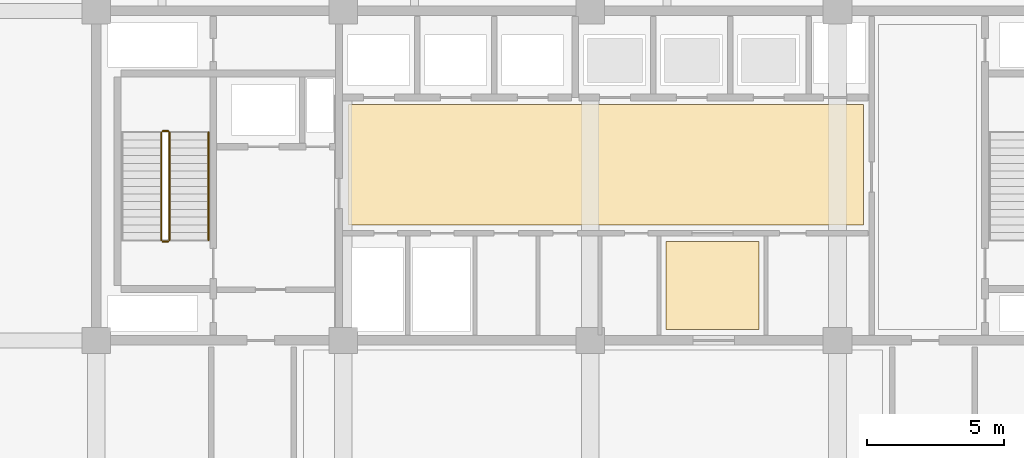
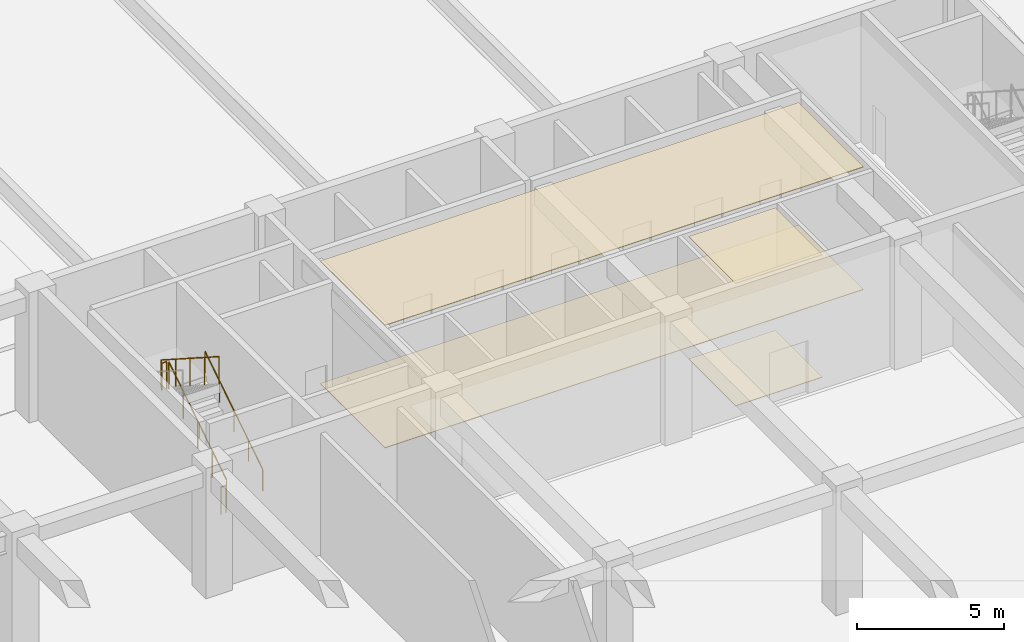
# One storey, part 35 of 46: 5 railings, 4 coverings.
"""IFC4 building model written with IfcOpenShell, lengths in metres."""

from ifc_helpers import new_model, si_unit, direction, frame, origin, origin_2d, place, context, subcontext, project, spatial, polyline, circle, outline, extrude, material, layer, layer_set, type_object, element, save


model = new_model("IFC4")

# Units and contexts
model_context = context("Model", 3, precision=1e-05, world=origin(), true_north=direction((0.0, 1.0)))
body_context = subcontext(model_context, "Body", "Model", "MODEL_VIEW")
ifc_project = project(units=[si_unit("LENGTHUNIT", "METRE"), si_unit("AREAUNIT", "SQUARE_METRE"), si_unit("VOLUMEUNIT", "CUBIC_METRE"), si_unit("PLANEANGLEUNIT", "RADIAN"), si_unit("MASSUNIT", "GRAM", prefix="KILO")], contexts=[model_context])

# Site, building, storey
site_placement = place(None, origin())
site = spatial("IfcSite", under=ifc_project, at=site_placement, CompositionType="ELEMENT")
building_placement = place(site_placement, origin())
building = spatial("IfcBuilding", under=site, at=building_placement, Name="Korimba Cascade Residences", CompositionType="ELEMENT")
storey_placement = place(building_placement, origin())
storey = spatial("IfcBuildingStorey", under=building, at=storey_placement, Name="L00", CompositionType="ELEMENT", Elevation=0.0)

# Coverings
ifc_material_1 = material(Name="Perforated Acoustic Gypsum Ceiling", Category="gypsum")
ifc_layer_1 = layer(ifc_material_1, 0.02490234375)
ifc_layer_set_1 = layer_set([ifc_layer_1], Name="Perforated Acoustic Gypsum Ceiling")
covering_type_1 = type_object("IfcCoveringType", Name="COV-CLG-AC", PredefinedType="CEILING", material=ifc_layer_set_1)
covering_1_placement = place(storey_placement, frame((0.0, 0.0, 5.074951171875)))
element("IfcCovering", 1, at=covering_1_placement, inside=storey, type_object=covering_type_1, Name="L00 Suspended Acoustic Ceiling L00-LL2", PredefinedType="CEILING", context=body_context, shape_type="SweptSolid", body=[
    extrude(outline(polyline([(91.300048828125, 22.60009765625), (110.050048828125, 22.60009765625), (110.050048828125, 27.0), (91.300048828125, 27.0), (91.300048828125, 22.60009765625)])), origin(), (0.0, 0.0, 1.0), 0.025146484375),
])
covering_2_placement = place(storey_placement, frame((0.0, 0.0, 5.074951171875)))
element("IfcCovering", 2, at=covering_2_placement, inside=storey, type_object=covering_type_1, Name="L00 Suspended Acoustic Ceiling L00-LT2", PredefinedType="CEILING", context=body_context, shape_type="SweptSolid", body=[
    extrude(outline(polyline([(102.85009765625, 18.800048828125), (106.25, 18.800048828125), (106.25, 22.0), (102.85009765625, 22.0), (102.85009765625, 18.800048828125)])), origin(), (0.0, 0.0, 1.0), 0.025146484375),
])
ifc_material_2 = material(Name="Honed Travertine Stone Flooring", Category="masonry")
ifc_layer_2 = layer(ifc_material_2, 0.02490234375)
ifc_layer_set_2 = layer_set([ifc_layer_2], Name="Honed Travertine Stone Flooring")
covering_type_2 = type_object("IfcCoveringType", Name="COV-FLR-STN", PredefinedType="FLOORING", material=ifc_layer_set_2)
covering_3_placement = place(storey_placement, origin())
element("IfcCovering", 3, at=covering_3_placement, inside=storey, type_object=covering_type_2, Name="L00 Honed Travertine Stone Flooring L00-LL2", PredefinedType="FLOORING", context=body_context, shape_type="SweptSolid", body=[
    extrude(outline(polyline([(91.300048828125, 22.60009765625), (110.050048828125, 22.60009765625), (110.050048828125, 27.0), (91.300048828125, 27.0), (91.300048828125, 22.60009765625)])), origin(), (0.0, 0.0, 1.0), 0.02490234375),
])
covering_4_placement = place(storey_placement, origin())
element("IfcCovering", 4, at=covering_4_placement, inside=storey, type_object=covering_type_2, Name="L00 Honed Travertine Stone Flooring L00-LT2", PredefinedType="FLOORING", context=body_context, shape_type="SweptSolid", body=[
    extrude(outline(polyline([(102.85009765625, 18.800048828125), (106.25, 18.800048828125), (106.25, 22.0), (102.85009765625, 22.0), (102.85009765625, 18.800048828125)])), origin(), (0.0, 0.0, 1.0), 0.02490234375),
])

# Railings
ifc_material_3 = material(Name="Painted Steel Stairwell Guardrail", Category="steel")
railing_type_1 = type_object("IfcRailingType", Name="RLG-ST-GD1150", PredefinedType="GUARDRAIL", material=ifc_material_3)
railing_1_placement = place(storey_placement, frame((84.77001953125, 22.050048828125, 0.179931640625)))
element("IfcRailing", 5, at=railing_1_placement, inside=storey, type_object=railing_type_1, Name="L00 ST-E1 stair guard 1", PredefinedType="GUARDRAIL", context=body_context, shape_type="SweptSolid", body=[
    extrude(circle(Radius=0.02392578125, at=origin_2d()), frame((0.0, 0.0, 1.1259765625), z_axis=(0.0, 0.841171666519, 0.540768182723), x_axis=(-1.0, 0.0, 0.0)), (0.0, 0.0, 1.0), 4.66015625),
    extrude(circle(Radius=0.02099609375, at=origin_2d()), origin(), (0.0, 0.0, 1.0), 1.101806640625),
    extrude(circle(Radius=0.02099609375, at=origin_2d()), frame((0.0, 0.97998046875, 0.6298828125)), (0.0, 0.0, 1.0), 1.101806640625),
    extrude(circle(Radius=0.02099609375, at=origin_2d()), frame((0.0, 1.9599609375, 1.260009765625)), (0.0, 0.0, 1.0), 1.101806640625),
    extrude(circle(Radius=0.02099609375, at=origin_2d()), frame((0.0, 2.93994140625, 1.89013671875)), (0.0, 0.0, 1.0), 1.101806640625),
    extrude(circle(Radius=0.02099609375, at=origin_2d()), frame((0.0, 3.919921875, 2.52001953125)), (0.0, 0.0, 1.0), 1.101806640625),
])
railing_2_placement = place(storey_placement, frame((84.719970703125, 26.02001953125, 2.699951171875)))
element("IfcRailing", 6, at=railing_2_placement, inside=storey, type_object=railing_type_1, Name="L00 ST-E1 stair guard 2", PredefinedType="GUARDRAIL", context=body_context, shape_type="SweptSolid", body=[
    extrude(circle(Radius=0.02392578125, at=origin_2d()), frame((0.0, 0.0, 1.1259765625), z_axis=(-1.0, 0.0, 0.0), x_axis=(0.0, -1.0, 0.0)), (0.0, 0.0, 1.0), 0.199951171875),
    extrude(circle(Radius=0.02099609375, at=origin_2d()), origin(), (0.0, 0.0, 1.0), 1.101806640625),
    extrude(circle(Radius=0.02099609375, at=origin_2d()), frame((-0.199951171875, 0.0, 0.0)), (0.0, 0.0, 1.0), 1.101806640625),
])
railing_3_placement = place(storey_placement, frame((84.469970703125, 25.969970703125, 2.8798828125)))
element("IfcRailing", 7, at=railing_3_placement, inside=storey, type_object=railing_type_1, Name="L00 ST-E1 stair guard 3", PredefinedType="GUARDRAIL", context=body_context, shape_type="SweptSolid", body=[
    extrude(circle(Radius=0.02392578125, at=origin_2d()), frame((0.0, 0.0, 1.1259765625), z_axis=(0.0, -0.841171666519, 0.540768182723), x_axis=(1.0, 0.0, 0.0)), (0.0, 0.0, 1.0), 4.66015625),
    extrude(circle(Radius=0.02099609375, at=origin_2d()), origin(), (0.0, 0.0, 1.0), 1.101806640625),
    extrude(circle(Radius=0.02099609375, at=origin_2d()), frame((0.0, -0.97998046875, 0.6298828125)), (0.0, 0.0, 1.0), 1.101806640625),
    extrude(circle(Radius=0.02099609375, at=origin_2d()), frame((0.0, -1.9599609375, 1.260009765625)), (0.0, 0.0, 1.0), 1.101806640625),
    extrude(circle(Radius=0.02099609375, at=origin_2d()), frame((0.0, -2.93994140625, 1.89013671875)), (0.0, 0.0, 1.0), 1.101806640625),
    extrude(circle(Radius=0.02099609375, at=origin_2d()), frame((0.0, -3.919921875, 2.52001953125)), (0.0, 0.0, 1.0), 1.101806640625),
])
railing_4_placement = place(storey_placement, frame((84.719970703125, 22.0, 0.0)))
element("IfcRailing", 8, at=railing_4_placement, inside=storey, type_object=railing_type_1, Name="L00 ST-E1 stair guard 4", PredefinedType="GUARDRAIL", context=body_context, shape_type="SweptSolid", body=[
    extrude(circle(Radius=0.02392578125, at=origin_2d()), frame((0.0, 0.0, 1.1259765625), z_axis=(-1.0, 0.0, 0.0), x_axis=(0.0, -1.0, 0.0)), (0.0, 0.0, 1.0), 0.199951171875),
    extrude(circle(Radius=0.02099609375, at=origin_2d()), origin(), (0.0, 0.0, 1.0), 1.101806640625),
    extrude(circle(Radius=0.02099609375, at=origin_2d()), frame((-0.199951171875, 0.0, 0.0)), (0.0, 0.0, 1.0), 1.101806640625),
])
ifc_material_4 = material(Name="Brushed Stainless Steel Handrail", Category="steel")
railing_type_2 = type_object("IfcRailingType", Name="RLG-ST-HR900", PredefinedType="HANDRAIL", material=ifc_material_4)
railing_5_placement = place(storey_placement, frame((86.18994140625, 22.050048828125, 0.36376953125)))
element("IfcRailing", 9, at=railing_5_placement, inside=storey, type_object=railing_type_2, Name="L00 ST-E1 stair handrail 1", PredefinedType="HANDRAIL", context=body_context, shape_type="SweptSolid", body=[
    extrude(circle(Radius=0.02392578125, at=origin_2d()), frame((0.0, 0.0, 0.8759765625), z_axis=(0.0, 0.841171666519, 0.540768182723), x_axis=(-1.0, 0.0, 0.0)), (0.0, 0.0, 1.0), 4.66015625),
    extrude(circle(Radius=0.02099609375, at=origin_2d()), origin(), (0.0, 0.0, 1.0), 0.851806640625),
    extrude(circle(Radius=0.02099609375, at=origin_2d()), frame((0.0, 0.97998046875, 0.6298828125)), (0.0, 0.0, 1.0), 0.851806640625),
    extrude(circle(Radius=0.02099609375, at=origin_2d()), frame((0.0, 1.9599609375, 1.260009765625)), (0.0, 0.0, 1.0), 0.851806640625),
    extrude(circle(Radius=0.02099609375, at=origin_2d()), frame((0.0, 2.93994140625, 1.89013671875)), (0.0, 0.0, 1.0), 0.851806640625),
    extrude(circle(Radius=0.02099609375, at=origin_2d()), frame((0.0, 3.919921875, 2.52001953125)), (0.0, 0.0, 1.0), 0.851806640625),
])

save(model, "model.ifc")
